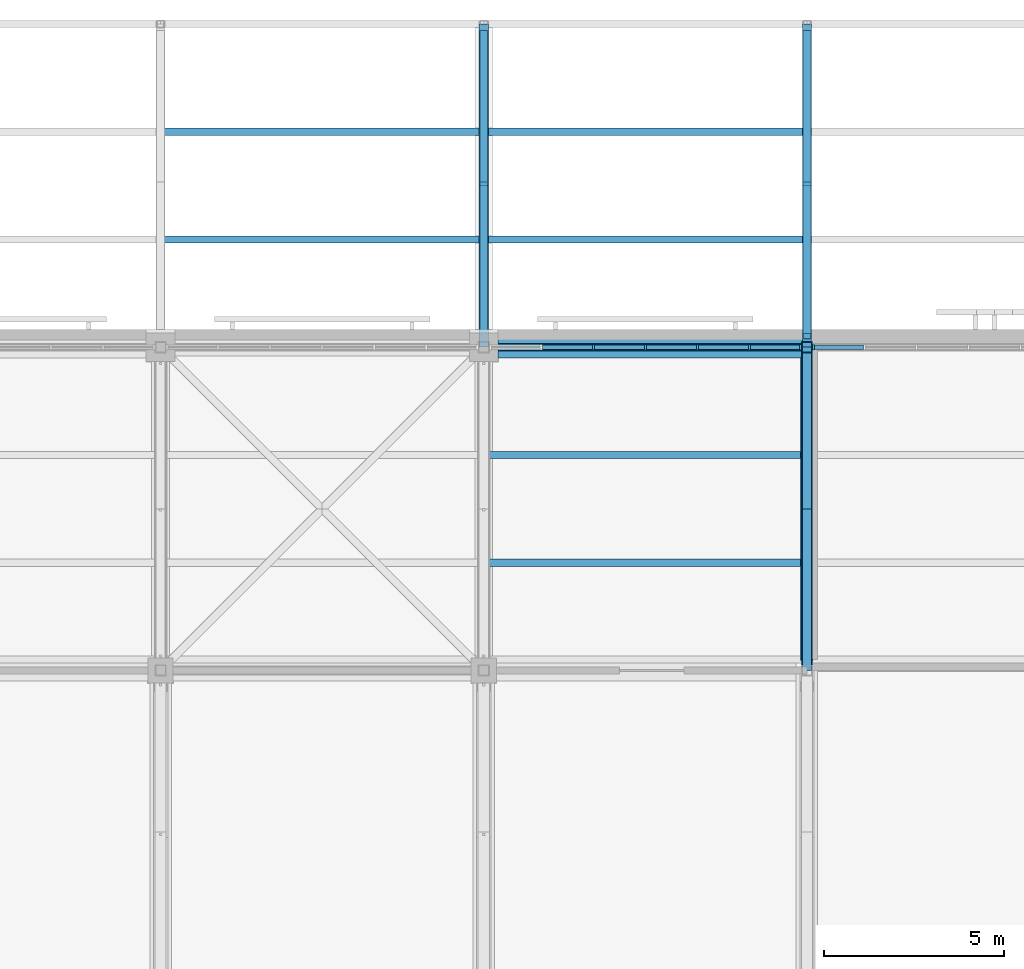
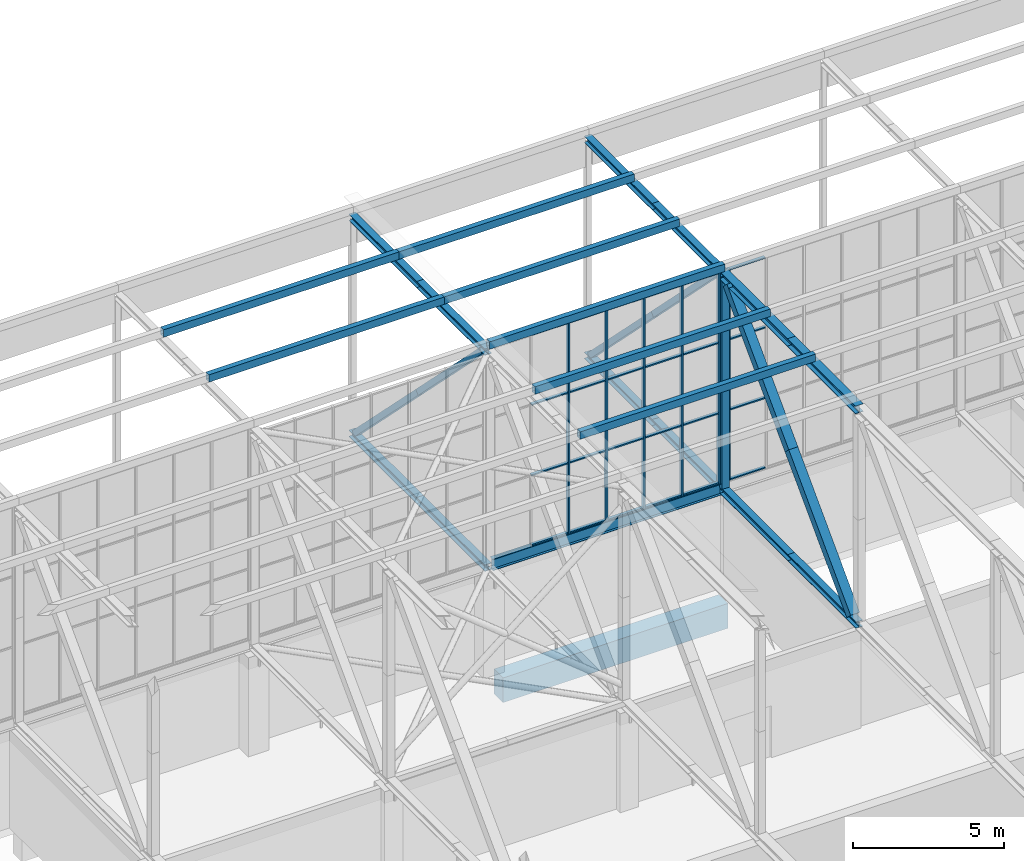
# One storey, part 124 of 646: 57 members, 2 beams, 2 elements without a shape of their own.
"""IFC4 building model written with IfcOpenShell, lengths in metres."""

from ifc_helpers import new_model, si_unit, direction, frame, origin, origin_2d, place, context, subcontext, project, spatial, rectangle, hollow_rectangle, i_section, extrude, material, material_profile, profile_set, type_object, element, aggregate, save


model = new_model("IFC4")

# Units and contexts
model_context = context("Model", 3, precision=1e-05, world=origin(), true_north=direction((0.0, 1.0)))
body_context = subcontext(model_context, "Body", "Model", "MODEL_VIEW")
ifc_project = project(units=[si_unit("LENGTHUNIT", "METRE"), si_unit("AREAUNIT", "SQUARE_METRE"), si_unit("VOLUMEUNIT", "CUBIC_METRE"), si_unit("PLANEANGLEUNIT", "RADIAN"), si_unit("MASSUNIT", "GRAM", prefix="KILO")], contexts=[model_context])

# Site, building, storey
site_placement = place(None, origin())
site = spatial("IfcSite", under=ifc_project, at=site_placement, CompositionType="ELEMENT")
building_placement = place(site_placement, origin())
building = spatial("IfcBuilding", under=site, at=building_placement, Name="Silverbay Arena", CompositionType="ELEMENT")
storey_placement = place(building_placement, frame((0.0, 0.0, 33.5)))
storey = spatial("IfcBuildingStorey", under=building, at=storey_placement, Name="L05", CompositionType="ELEMENT", Elevation=33.5)

# Members
ifc_material_1 = material(Name="Steel S355", Category="steel")
ifc_material_profile_1 = material_profile(ifc_material_1, i_section(OverallWidth=0.2587890625, OverallDepth=0.2666015625, WebThickness=0.0126953125, FlangeThickness=0.0205078125, at=origin_2d()), Name="UC 254x254x107")
ifc_profile_set_1 = profile_set([ifc_material_profile_1], Name="Steel S355")
member_type_1 = type_object("IfcMemberType", Name="Main-span bottom chord UC 254x254x107", PredefinedType="CHORD", material=ifc_profile_set_1)
for number, where, z_axis, x_axis, name in (
    (1, (135.0, 144.0, 4.13330078125), (0.0, 1.0, 0.0), (-1.0, 0.0, 0.0), "ROOF TRUSS 16 bottom chord 16a"),
    (2, (135.0, 148.5, 4.13330078125), (0.0, 1.0, 0.0), (-1.0, 0.0, 0.0), "ROOF TRUSS 16 bottom chord 16b"),
    (3, (144.0, 135.0, 4.13330078125), (0.0, 1.0, 0.0), (-1.0, 0.0, 0.0), "ROOF TRUSS 17 bottom chord 15a"),
    (4, (144.0, 139.5, 4.13330078125), (0.0, 1.0, 0.0), (-1.0, 0.0, 0.0), "ROOF TRUSS 17 bottom chord 15b"),
    (5, (144.0, 144.0, 4.13330078125), (0.0, 1.0, 0.0), (-1.0, 0.0, 0.0), "ROOF TRUSS 17 bottom chord 16a"),
    (6, (144.0, 148.5, 4.13330078125), (0.0, 1.0, 0.0), (-1.0, 0.0, 0.0), "ROOF TRUSS 17 bottom chord 16b"),
):
    element("IfcMember", number, at=place(storey_placement, frame(where, z_axis=z_axis, x_axis=x_axis)), inside=storey, type_object=member_type_1, Name=name, PredefinedType="CHORD", context=body_context, shape_type="SweptSolid", body=[
        extrude(i_section(OverallWidth=0.2587890625, OverallDepth=0.2666015625, WebThickness=0.0126953125, FlangeThickness=0.0205078125, at=origin_2d()), origin(), (0.0, 0.0, 1.0), 4.5),
    ])
ifc_material_2 = material(Name="Steel S355", Category="steel")
ifc_material_profile_2 = material_profile(ifc_material_2, i_section(OverallWidth=0.2587890625, OverallDepth=0.2666015625, WebThickness=0.0126953125, FlangeThickness=0.0205078125, at=origin_2d()), Name="UC 254x254x107")
ifc_profile_set_2 = profile_set([ifc_material_profile_2], Name="Steel S355")
member_type_2 = type_object("IfcMemberType", Name="Main-span top chord UC 254x254x107", PredefinedType="CHORD", material=ifc_profile_set_2)
for number, where, z_axis, x_axis, name in (
    (7, (135.0, 144.0, 12.86669921875), (0.0, 1.0, 0.0), (-1.0, 0.0, 0.0), "ROOF TRUSS 16 top chord 16a"),
    (8, (135.0, 148.5, 12.86669921875), (0.0, 1.0, 0.0), (-1.0, 0.0, 0.0), "ROOF TRUSS 16 top chord 16b"),
    (9, (144.0, 144.0, 12.86669921875), (0.0, 1.0, 0.0), (-1.0, 0.0, 0.0), "ROOF TRUSS 17 top chord 16a"),
    (10, (144.0, 148.5, 12.86669921875), (0.0, 1.0, 0.0), (-1.0, 0.0, 0.0), "ROOF TRUSS 17 top chord 16b"),
):
    element("IfcMember", number, at=place(storey_placement, frame(where, z_axis=z_axis, x_axis=x_axis)), inside=storey, type_object=member_type_2, Name=name, PredefinedType="CHORD", context=body_context, shape_type="SweptSolid", body=[
        extrude(i_section(OverallWidth=0.2587890625, OverallDepth=0.2666015625, WebThickness=0.0126953125, FlangeThickness=0.0205078125, at=origin_2d()), origin(), (0.0, 0.0, 1.0), 4.5),
    ])
ifc_material_3 = material(Name="Steel S355", Category="steel")
ifc_material_profile_3 = material_profile(ifc_material_3, i_section(OverallWidth=0.307373046875, OverallDepth=0.314453125, WebThickness=0.011962890625, FlangeThickness=0.018798828125, at=origin_2d()), Name="UC 305x305x118")
ifc_profile_set_3 = profile_set([ifc_material_profile_3], Name="Steel S355")
member_type_3 = type_object("IfcMemberType", Name="Main-span top chord UC 305x305x118", PredefinedType="CHORD", material=ifc_profile_set_3)
for number, where, z_axis, x_axis, name in (
    (11, (144.0, 135.0, 12.8427734375), (0.0, 1.0, 0.0), (-1.0, 0.0, 0.0), "ROOF TRUSS 17 top chord 15a"),
    (12, (144.0, 139.5, 12.8427734375), (0.0, 1.0, 0.0), (-1.0, 0.0, 0.0), "ROOF TRUSS 17 top chord 15b"),
):
    element("IfcMember", number, at=place(storey_placement, frame(where, z_axis=z_axis, x_axis=x_axis)), inside=storey, type_object=member_type_3, Name=name, PredefinedType="CHORD", context=body_context, shape_type="SweptSolid", body=[
        extrude(i_section(OverallWidth=0.307373046875, OverallDepth=0.314453125, WebThickness=0.011962890625, FlangeThickness=0.018798828125, at=origin_2d()), origin(), (0.0, 0.0, 1.0), 4.5),
    ])
ifc_material_4 = material(Name="Steel S355", Category="steel")
ifc_material_profile_4 = material_profile(ifc_material_4, hollow_rectangle(XDim=0.219970703125, YDim=0.219970703125, WallThickness=0.008056640625, at=origin_2d()), Name="SHS 220x220x8")
ifc_profile_set_4 = profile_set([ifc_material_profile_4], Name="Steel S355")
member_type_4 = type_object("IfcMemberType", Name="Main-span truss diagonal SHS 220x220x8", PredefinedType="BRACE", material=ifc_profile_set_4)
member_1_placement = place(storey_placement, frame((135.0, 144.310546875, 12.7333984375), z_axis=(0.0, 0.70551102507, -0.708698944196), x_axis=(-1.0, 0.0, 0.0)))
element("IfcMember", 13, at=member_1_placement, inside=storey, type_object=member_type_4, Name="ROOF TRUSS 16 diagonal 16a", PredefinedType="BRACE", context=body_context, shape_type="SweptSolid", body=[
    extrude(hollow_rectangle(XDim=0.219970703125, YDim=0.219970703125, WallThickness=0.008056640625, at=origin_2d()), origin(), (0.0, 0.0, 1.0), 5.973388671875),
])
member_2_placement = place(storey_placement, frame((135.0, 148.52490234375, 8.5), z_axis=(0.0, 0.705531551692, -0.708678509317), x_axis=(-1.0, 0.0, 0.0)))
element("IfcMember", 14, at=member_2_placement, inside=storey, type_object=member_type_4, Name="ROOF TRUSS 16 diagonal 16b", PredefinedType="BRACE", context=body_context, shape_type="SweptSolid", body=[
    extrude(hollow_rectangle(XDim=0.219970703125, YDim=0.219970703125, WallThickness=0.008056640625, at=origin_2d()), origin(), (0.0, 0.0, 1.0), 5.9736328125),
])
member_3_placement = place(storey_placement, frame((144.0, 144.310546875, 12.7333984375), z_axis=(0.0, 0.70551102507, -0.708698944196), x_axis=(-1.0, 0.0, 0.0)))
element("IfcMember", 15, at=member_3_placement, inside=storey, type_object=member_type_4, Name="ROOF TRUSS 17 diagonal 16a", PredefinedType="BRACE", context=body_context, shape_type="SweptSolid", body=[
    extrude(hollow_rectangle(XDim=0.219970703125, YDim=0.219970703125, WallThickness=0.008056640625, at=origin_2d()), origin(), (0.0, 0.0, 1.0), 5.973388671875),
])
member_4_placement = place(storey_placement, frame((144.0, 148.52490234375, 8.5), z_axis=(0.0, 0.705531551692, -0.708678509317), x_axis=(-1.0, 0.0, 0.0)))
element("IfcMember", 16, at=member_4_placement, inside=storey, type_object=member_type_4, Name="ROOF TRUSS 17 diagonal 16b", PredefinedType="BRACE", context=body_context, shape_type="SweptSolid", body=[
    extrude(hollow_rectangle(XDim=0.219970703125, YDim=0.219970703125, WallThickness=0.008056640625, at=origin_2d()), origin(), (0.0, 0.0, 1.0), 5.9736328125),
])
ifc_material_5 = material(Name="Steel S355", Category="steel")
ifc_material_profile_5 = material_profile(ifc_material_5, hollow_rectangle(XDim=0.35009765625, YDim=0.35009765625, WallThickness=0.01611328125, at=origin_2d()), Name="SHS 350x350x16")
ifc_profile_set_5 = profile_set([ifc_material_profile_5], Name="Steel S355")
member_type_5 = type_object("IfcMemberType", Name="Main-span truss diagonal SHS 350x350x16", PredefinedType="BRACE", material=ifc_profile_set_5)
for number, where, z_axis, x_axis, name in (
    (17, (144.0, 143.59375, 12.685546875), (0.0, -0.697184071327, -0.716892161129), (1.0, 0.0, 0.0), "ROOF TRUSS 17 diagonal 15a"),
    (18, (144.0, 139.5, 8.47607421875), (0.0, -0.697184071327, -0.716892161129), (1.0, 0.0, 0.0), "ROOF TRUSS 17 diagonal 15b"),
):
    element("IfcMember", number, at=place(storey_placement, frame(where, z_axis=z_axis, x_axis=x_axis)), inside=storey, type_object=member_type_5, Name=name, PredefinedType="BRACE", context=body_context, shape_type="SweptSolid", body=[
        extrude(hollow_rectangle(XDim=0.35009765625, YDim=0.35009765625, WallThickness=0.01611328125, at=origin_2d()), origin(), (0.0, 0.0, 1.0), 5.871826171875),
    ])
ifc_material_6 = material(Name="Steel S355", Category="steel")
ifc_material_profile_6 = material_profile(ifc_material_6, hollow_rectangle(XDim=0.300048828125, YDim=0.300048828125, WallThickness=0.012451171875, at=origin_2d()), Name="SHS 300x300x12.5")
ifc_profile_set_6 = profile_set([ifc_material_profile_6], Name="Steel S355")
member_type_6 = type_object("IfcMemberType", Name="Main-span truss vertical SHS 300x300x12.5", PredefinedType="STRUT", material=ifc_profile_set_6)
for number, where, z_axis, x_axis, name in (
    (19, (144.0, 144.0, 4.2666015625), (0.0, 0.0, 1.0), (1.0, 0.0, 0.0), "ROOF TRUSS 17 vertical 16a"),
    (20, (144.0, 144.0, 8.47607421875), (0.0, 0.0, 1.0), (1.0, 0.0, 0.0), "ROOF TRUSS 17 vertical 16b"),
):
    element("IfcMember", number, at=place(storey_placement, frame(where, z_axis=z_axis, x_axis=x_axis)), inside=storey, type_object=member_type_6, Name=name, PredefinedType="STRUT", context=body_context, shape_type="SweptSolid", body=[
        extrude(hollow_rectangle(XDim=0.300048828125, YDim=0.300048828125, WallThickness=0.012451171875, at=origin_2d()), origin(), (0.0, 0.0, 1.0), 4.20947265625),
    ])

# Curtain wall, members
ifc_material_7 = material(Name="Aluminium framed glazing", Category="aluminium")
curtain_wall_type = type_object("IfcCurtainWallType", Name="Curtain wall clerestory 8693 x 8540", PredefinedType="NOTDEFINED", material=ifc_material_7)
curtain_wall_1_placement = place(storey_placement, origin())
curtain_wall_1 = element("IfcCurtainWall", 21, at=curtain_wall_1_placement, inside=storey, type_object=curtain_wall_type, Name="ROOF CLERESTORY CURTAIN WALL north bay 10", PredefinedType="NOTDEFINED")
ifc_material_8 = material(Name="Aluminium", Category="aluminium")
ifc_material_profile_7 = material_profile(ifc_material_8, rectangle(XDim=0.159912109375, YDim=0.06005859375, at=origin_2d()), Name="Mullion 60 x 160")
ifc_profile_set_7 = profile_set([ifc_material_profile_7], Name="Aluminium")
member_type_7 = type_object("IfcMemberType", Name="Mullion 60 x 160", PredefinedType="MULLION", material=ifc_profile_set_7)
member_5_placement = place(storey_placement, frame((138.05126953125, 144.0, 4.4599609375), z_axis=(0.0, 0.0, 1.0), x_axis=(0.0, 1.0, 0.0)))
member_5 = element("IfcMember", 22, at=member_5_placement, type_object=member_type_7, Name="CW55 mullion 3", PredefinedType="MULLION", context=body_context, shape_type="SweptSolid", body=[
    extrude(rectangle(XDim=0.159912109375, YDim=0.06005859375, at=origin_2d()), origin(), (0.0, 0.0, 1.0), 8.5400390625),
])
member_6_placement = place(storey_placement, frame((139.5, 144.0, 4.4599609375), z_axis=(0.0, 0.0, 1.0), x_axis=(0.0, 1.0, 0.0)))
member_6 = element("IfcMember", 23, at=member_6_placement, type_object=member_type_7, Name="CW55 mullion 4", PredefinedType="MULLION", context=body_context, shape_type="SweptSolid", body=[
    extrude(rectangle(XDim=0.159912109375, YDim=0.06005859375, at=origin_2d()), origin(), (0.0, 0.0, 1.0), 8.5400390625),
])
member_7_placement = place(storey_placement, frame((140.94873046875, 144.0, 4.4599609375), z_axis=(0.0, 0.0, 1.0), x_axis=(0.0, 1.0, 0.0)))
member_7 = element("IfcMember", 24, at=member_7_placement, type_object=member_type_7, Name="CW55 mullion 5", PredefinedType="MULLION", context=body_context, shape_type="SweptSolid", body=[
    extrude(rectangle(XDim=0.159912109375, YDim=0.06005859375, at=origin_2d()), origin(), (0.0, 0.0, 1.0), 8.5400390625),
])
member_8_placement = place(storey_placement, frame((142.3974609375, 144.0, 4.4599609375), z_axis=(0.0, 0.0, 1.0), x_axis=(0.0, 1.0, 0.0)))
member_8 = element("IfcMember", 25, at=member_8_placement, type_object=member_type_7, Name="CW55 mullion 6", PredefinedType="MULLION", context=body_context, shape_type="SweptSolid", body=[
    extrude(rectangle(XDim=0.159912109375, YDim=0.06005859375, at=origin_2d()), origin(), (0.0, 0.0, 1.0), 8.5400390625),
])
member_9_placement = place(storey_placement, frame((143.81640625, 144.0, 4.4599609375), z_axis=(0.0, 0.0, 1.0), x_axis=(0.0, 1.0, 0.0)))
member_9 = element("IfcMember", 26, at=member_9_placement, type_object=member_type_7, Name="CW55 mullion 7", PredefinedType="MULLION", context=body_context, shape_type="SweptSolid", body=[
    extrude(rectangle(XDim=0.159912109375, YDim=0.06005859375, at=origin_2d()), origin(), (0.0, 0.0, 1.0), 8.5400390625),
])

# Curtain wall, member
curtain_wall_2_placement = place(storey_placement, origin())
curtain_wall_2 = element("IfcCurtainWall", 27, at=curtain_wall_2_placement, inside=storey, type_object=curtain_wall_type, Name="ROOF CLERESTORY CURTAIN WALL north bay 11", PredefinedType="NOTDEFINED")
member_10_placement = place(storey_placement, frame((144.18359375, 144.0, 4.4599609375), z_axis=(0.0, 0.0, 1.0), x_axis=(0.0, 1.0, 0.0)))
member_10 = element("IfcMember", 28, at=member_10_placement, type_object=member_type_7, Name="CW55 mullion 1", PredefinedType="MULLION", context=body_context, shape_type="SweptSolid", body=[
    extrude(rectangle(XDim=0.159912109375, YDim=0.06005859375, at=origin_2d()), origin(), (0.0, 0.0, 1.0), 8.5400390625),
])

# Members
ifc_material_9 = material(Name="Steel S355", Category="steel")
ifc_material_profile_8 = material_profile(ifc_material_9, hollow_rectangle(XDim=0.199951171875, YDim=0.300048828125, WallThickness=0.00634765625, at=origin_2d()), Name="RHS 300x200x6.3")
ifc_profile_set_8 = profile_set([ifc_material_profile_8], Name="Steel S355")
member_type_8 = type_object("IfcMemberType", Name="Purlin RHS 300x200x6.3", PredefinedType="PURLIN", material=ifc_profile_set_8)
member_11_placement = place(storey_placement, frame((135.0, 138.0, 13.14990234375), z_axis=(1.0, 0.0, 0.0), x_axis=(0.0, 1.0, 0.0)))
element("IfcMember", 29, at=member_11_placement, inside=storey, type_object=member_type_8, Name="ROOF PURLIN 16-17 line 44", PredefinedType="PURLIN", context=body_context, shape_type="SweptSolid", body=[
    extrude(hollow_rectangle(XDim=0.199951171875, YDim=0.300048828125, WallThickness=0.00634765625, at=origin_2d()), origin(), (0.0, 0.0, 1.0), 9.0),
])
ifc_material_10 = material(Name="Steel S355", Category="steel")
ifc_material_profile_9 = material_profile(ifc_material_10, hollow_rectangle(XDim=0.199951171875, YDim=0.300048828125, WallThickness=0.008056640625, at=origin_2d()), Name="RHS 300x200x8")
ifc_profile_set_9 = profile_set([ifc_material_profile_9], Name="Steel S355")
member_type_9 = type_object("IfcMemberType", Name="Purlin RHS 300x200x8", PredefinedType="PURLIN", material=ifc_profile_set_9)
for number, where, z_axis, x_axis, name in (
    (30, (126.0, 147.0, 13.14990234375), (1.0, 0.0, 0.0), (0.0, 1.0, 0.0), "ROOF PURLIN 15-16 line 47"),
    (31, (126.0, 150.0, 13.14990234375), (1.0, 0.0, 0.0), (0.0, 1.0, 0.0), "ROOF PURLIN 15-16 line 48"),
    (32, (135.0, 141.0, 13.14990234375), (1.0, 0.0, 0.0), (0.0, 1.0, 0.0), "ROOF PURLIN 16-17 line 45"),
    (33, (135.0, 144.0, 13.14990234375), (1.0, 0.0, 0.0), (0.0, 1.0, 0.0), "ROOF PURLIN 16-17 line 46"),
    (34, (135.0, 147.0, 13.14990234375), (1.0, 0.0, 0.0), (0.0, 1.0, 0.0), "ROOF PURLIN 16-17 line 47"),
    (35, (135.0, 150.0, 13.14990234375), (1.0, 0.0, 0.0), (0.0, 1.0, 0.0), "ROOF PURLIN 16-17 line 48"),
):
    element("IfcMember", number, at=place(storey_placement, frame(where, z_axis=z_axis, x_axis=x_axis)), inside=storey, type_object=member_type_9, Name=name, PredefinedType="PURLIN", context=body_context, shape_type="SweptSolid", body=[
        extrude(hollow_rectangle(XDim=0.199951171875, YDim=0.300048828125, WallThickness=0.008056640625, at=origin_2d()), origin(), (0.0, 0.0, 1.0), 9.0),
    ])

# Beams
ifc_material_11 = material(Name="Concrete Grade C45", Category="concrete")
ifc_material_profile_10 = material_profile(ifc_material_11, rectangle(XDim=0.60009765625, YDim=1.0, at=origin_2d()), Name="RC 600x1000")
ifc_profile_set_10 = profile_set([ifc_material_profile_10], Name="Concrete Grade C45")
beam_type_1 = type_object("IfcBeamType", Name="RC beam 600x1000", PredefinedType="BEAM", material=ifc_profile_set_10)
beam_1_placement = place(storey_placement, frame((135.39990234375, 144.0, -0.800048828125), z_axis=(1.0, 0.0, 0.0), x_axis=(0.0, 1.0, 0.0)))
element("IfcBeam", 36, at=beam_1_placement, inside=storey, type_object=beam_type_1, Name="Floor beam L05 069", PredefinedType="BEAM", context=body_context, shape_type="SweptSolid", body=[
    extrude(rectangle(XDim=0.60009765625, YDim=1.0, at=origin_2d()), origin(), (0.0, 0.0, 1.0), 8.60009765625),
])
ifc_material_12 = material(Name="Steel S355", Category="steel")
ifc_material_profile_11 = material_profile(ifc_material_12, i_section(OverallWidth=0.19140625, OverallDepth=0.4599609375, WebThickness=0.010009765625, FlangeThickness=0.01611328125, at=origin_2d()), Name="UB 457x191x82")
ifc_profile_set_11 = profile_set([ifc_material_profile_11], Name="Steel S355")
beam_type_2 = type_object("IfcBeamType", Name="Ring beam UB 457x191x82", PredefinedType="BEAM", material=ifc_profile_set_11)
beam_2_placement = place(storey_placement, frame((135.12939453125, 144.0, 4.22998046875), z_axis=(1.0, 0.0, 0.0), x_axis=(0.0, 1.0, 0.0)))
element("IfcBeam", 37, at=beam_2_placement, inside=storey, type_object=beam_type_2, Name="RING BEAM north facade 16-17", PredefinedType="BEAM", context=body_context, shape_type="SweptSolid", body=[
    extrude(i_section(OverallWidth=0.19140625, OverallDepth=0.4599609375, WebThickness=0.010009765625, FlangeThickness=0.01611328125, at=origin_2d()), origin(), (0.0, 0.0, 1.0), 8.7412109375),
])

# Member
ifc_material_13 = material(Name="Aluminium", Category="aluminium")
ifc_material_profile_12 = material_profile(ifc_material_13, rectangle(XDim=0.1201171875, YDim=0.050048828125, at=origin_2d()), Name="Transom 50 x 120")
ifc_profile_set_12 = profile_set([ifc_material_profile_12], Name="Aluminium")
member_type_10 = type_object("IfcMemberType", Name="Transom 50 x 120", PredefinedType="USERDEFINED", material=ifc_profile_set_12)
member_12_placement = place(storey_placement, frame((136.632568359375, 144.0, 4.485107421875), z_axis=(1.0, 0.0, 0.0), x_axis=(0.0, 1.0, 0.0)))
member_12 = element("IfcMember", 38, at=member_12_placement, type_object=member_type_10, Name="CW55 transom 2.1", ObjectType="TRANSOM", PredefinedType="USERDEFINED", context=body_context, shape_type="SweptSolid", body=[
    extrude(rectangle(XDim=0.1201171875, YDim=0.050048828125, at=origin_2d()), origin(), (0.0, 0.0, 1.0), 1.388671875),
])

member_13_placement = place(storey_placement, frame((136.632568359375, 144.0, 7.306640625), z_axis=(1.0, 0.0, 0.0), x_axis=(0.0, 1.0, 0.0)))
member_13 = element("IfcMember", 39, at=member_13_placement, type_object=member_type_10, Name="CW55 transom 2.2", ObjectType="TRANSOM", PredefinedType="USERDEFINED", context=body_context, shape_type="SweptSolid", body=[
    extrude(rectangle(XDim=0.1201171875, YDim=0.050048828125, at=origin_2d()), origin(), (0.0, 0.0, 1.0), 1.388671875),
])

member_14_placement = place(storey_placement, frame((136.632568359375, 144.0, 10.1533203125), z_axis=(1.0, 0.0, 0.0), x_axis=(0.0, 1.0, 0.0)))
member_14 = element("IfcMember", 40, at=member_14_placement, type_object=member_type_10, Name="CW55 transom 2.3", ObjectType="TRANSOM", PredefinedType="USERDEFINED", context=body_context, shape_type="SweptSolid", body=[
    extrude(rectangle(XDim=0.1201171875, YDim=0.050048828125, at=origin_2d()), origin(), (0.0, 0.0, 1.0), 1.388671875),
])

member_15_placement = place(storey_placement, frame((136.632568359375, 144.0, 12.97509765625), z_axis=(1.0, 0.0, 0.0), x_axis=(0.0, 1.0, 0.0)))
member_15 = element("IfcMember", 41, at=member_15_placement, type_object=member_type_10, Name="CW55 transom 2.4", ObjectType="TRANSOM", PredefinedType="USERDEFINED", context=body_context, shape_type="SweptSolid", body=[
    extrude(rectangle(XDim=0.1201171875, YDim=0.050048828125, at=origin_2d()), origin(), (0.0, 0.0, 1.0), 1.388671875),
])

member_16_placement = place(storey_placement, frame((138.081298828125, 144.0, 4.485107421875), z_axis=(1.0, 0.0, 0.0), x_axis=(0.0, 1.0, 0.0)))
member_16 = element("IfcMember", 42, at=member_16_placement, type_object=member_type_10, Name="CW55 transom 3.1", ObjectType="TRANSOM", PredefinedType="USERDEFINED", context=body_context, shape_type="SweptSolid", body=[
    extrude(rectangle(XDim=0.1201171875, YDim=0.050048828125, at=origin_2d()), origin(), (0.0, 0.0, 1.0), 1.388671875),
])

member_17_placement = place(storey_placement, frame((138.081298828125, 144.0, 7.306640625), z_axis=(1.0, 0.0, 0.0), x_axis=(0.0, 1.0, 0.0)))
member_17 = element("IfcMember", 43, at=member_17_placement, type_object=member_type_10, Name="CW55 transom 3.2", ObjectType="TRANSOM", PredefinedType="USERDEFINED", context=body_context, shape_type="SweptSolid", body=[
    extrude(rectangle(XDim=0.1201171875, YDim=0.050048828125, at=origin_2d()), origin(), (0.0, 0.0, 1.0), 1.388671875),
])

member_18_placement = place(storey_placement, frame((138.081298828125, 144.0, 10.1533203125), z_axis=(1.0, 0.0, 0.0), x_axis=(0.0, 1.0, 0.0)))
member_18 = element("IfcMember", 44, at=member_18_placement, type_object=member_type_10, Name="CW55 transom 3.3", ObjectType="TRANSOM", PredefinedType="USERDEFINED", context=body_context, shape_type="SweptSolid", body=[
    extrude(rectangle(XDim=0.1201171875, YDim=0.050048828125, at=origin_2d()), origin(), (0.0, 0.0, 1.0), 1.388671875),
])

member_19_placement = place(storey_placement, frame((138.081298828125, 144.0, 12.97509765625), z_axis=(1.0, 0.0, 0.0), x_axis=(0.0, 1.0, 0.0)))
member_19 = element("IfcMember", 45, at=member_19_placement, type_object=member_type_10, Name="CW55 transom 3.4", ObjectType="TRANSOM", PredefinedType="USERDEFINED", context=body_context, shape_type="SweptSolid", body=[
    extrude(rectangle(XDim=0.1201171875, YDim=0.050048828125, at=origin_2d()), origin(), (0.0, 0.0, 1.0), 1.388671875),
])

member_20_placement = place(storey_placement, frame((139.530029296875, 144.0, 4.485107421875), z_axis=(1.0, 0.0, 0.0), x_axis=(0.0, 1.0, 0.0)))
member_20 = element("IfcMember", 46, at=member_20_placement, type_object=member_type_10, Name="CW55 transom 4.1", ObjectType="TRANSOM", PredefinedType="USERDEFINED", context=body_context, shape_type="SweptSolid", body=[
    extrude(rectangle(XDim=0.1201171875, YDim=0.050048828125, at=origin_2d()), origin(), (0.0, 0.0, 1.0), 1.388671875),
])

member_21_placement = place(storey_placement, frame((139.530029296875, 144.0, 7.306640625), z_axis=(1.0, 0.0, 0.0), x_axis=(0.0, 1.0, 0.0)))
member_21 = element("IfcMember", 47, at=member_21_placement, type_object=member_type_10, Name="CW55 transom 4.2", ObjectType="TRANSOM", PredefinedType="USERDEFINED", context=body_context, shape_type="SweptSolid", body=[
    extrude(rectangle(XDim=0.1201171875, YDim=0.050048828125, at=origin_2d()), origin(), (0.0, 0.0, 1.0), 1.388671875),
])

member_22_placement = place(storey_placement, frame((139.530029296875, 144.0, 10.1533203125), z_axis=(1.0, 0.0, 0.0), x_axis=(0.0, 1.0, 0.0)))
member_22 = element("IfcMember", 48, at=member_22_placement, type_object=member_type_10, Name="CW55 transom 4.3", ObjectType="TRANSOM", PredefinedType="USERDEFINED", context=body_context, shape_type="SweptSolid", body=[
    extrude(rectangle(XDim=0.1201171875, YDim=0.050048828125, at=origin_2d()), origin(), (0.0, 0.0, 1.0), 1.388671875),
])

member_23_placement = place(storey_placement, frame((139.530029296875, 144.0, 12.97509765625), z_axis=(1.0, 0.0, 0.0), x_axis=(0.0, 1.0, 0.0)))
member_23 = element("IfcMember", 49, at=member_23_placement, type_object=member_type_10, Name="CW55 transom 4.4", ObjectType="TRANSOM", PredefinedType="USERDEFINED", context=body_context, shape_type="SweptSolid", body=[
    extrude(rectangle(XDim=0.1201171875, YDim=0.050048828125, at=origin_2d()), origin(), (0.0, 0.0, 1.0), 1.388671875),
])

member_24_placement = place(storey_placement, frame((140.978759765625, 144.0, 4.485107421875), z_axis=(1.0, 0.0, 0.0), x_axis=(0.0, 1.0, 0.0)))
member_24 = element("IfcMember", 50, at=member_24_placement, type_object=member_type_10, Name="CW55 transom 5.1", ObjectType="TRANSOM", PredefinedType="USERDEFINED", context=body_context, shape_type="SweptSolid", body=[
    extrude(rectangle(XDim=0.1201171875, YDim=0.050048828125, at=origin_2d()), origin(), (0.0, 0.0, 1.0), 1.388671875),
])

member_25_placement = place(storey_placement, frame((140.978759765625, 144.0, 7.306640625), z_axis=(1.0, 0.0, 0.0), x_axis=(0.0, 1.0, 0.0)))
member_25 = element("IfcMember", 51, at=member_25_placement, type_object=member_type_10, Name="CW55 transom 5.2", ObjectType="TRANSOM", PredefinedType="USERDEFINED", context=body_context, shape_type="SweptSolid", body=[
    extrude(rectangle(XDim=0.1201171875, YDim=0.050048828125, at=origin_2d()), origin(), (0.0, 0.0, 1.0), 1.388671875),
])

member_26_placement = place(storey_placement, frame((140.978759765625, 144.0, 10.1533203125), z_axis=(1.0, 0.0, 0.0), x_axis=(0.0, 1.0, 0.0)))
member_26 = element("IfcMember", 52, at=member_26_placement, type_object=member_type_10, Name="CW55 transom 5.3", ObjectType="TRANSOM", PredefinedType="USERDEFINED", context=body_context, shape_type="SweptSolid", body=[
    extrude(rectangle(XDim=0.1201171875, YDim=0.050048828125, at=origin_2d()), origin(), (0.0, 0.0, 1.0), 1.388671875),
])

member_27_placement = place(storey_placement, frame((140.978759765625, 144.0, 12.97509765625), z_axis=(1.0, 0.0, 0.0), x_axis=(0.0, 1.0, 0.0)))
member_27 = element("IfcMember", 53, at=member_27_placement, type_object=member_type_10, Name="CW55 transom 5.4", ObjectType="TRANSOM", PredefinedType="USERDEFINED", context=body_context, shape_type="SweptSolid", body=[
    extrude(rectangle(XDim=0.1201171875, YDim=0.050048828125, at=origin_2d()), origin(), (0.0, 0.0, 1.0), 1.388671875),
])

member_28_placement = place(storey_placement, frame((142.427490234375, 144.0, 4.485107421875), z_axis=(1.0, 0.0, 0.0), x_axis=(0.0, 1.0, 0.0)))
member_28 = element("IfcMember", 54, at=member_28_placement, type_object=member_type_10, Name="CW55 transom 6.1", ObjectType="TRANSOM", PredefinedType="USERDEFINED", context=body_context, shape_type="SweptSolid", body=[
    extrude(rectangle(XDim=0.1201171875, YDim=0.050048828125, at=origin_2d()), origin(), (0.0, 0.0, 1.0), 1.35888671875),
])

member_29_placement = place(storey_placement, frame((142.427490234375, 144.0, 7.306640625), z_axis=(1.0, 0.0, 0.0), x_axis=(0.0, 1.0, 0.0)))
member_29 = element("IfcMember", 55, at=member_29_placement, type_object=member_type_10, Name="CW55 transom 6.2", ObjectType="TRANSOM", PredefinedType="USERDEFINED", context=body_context, shape_type="SweptSolid", body=[
    extrude(rectangle(XDim=0.1201171875, YDim=0.050048828125, at=origin_2d()), origin(), (0.0, 0.0, 1.0), 1.35888671875),
])

member_30_placement = place(storey_placement, frame((142.427490234375, 144.0, 10.1533203125), z_axis=(1.0, 0.0, 0.0), x_axis=(0.0, 1.0, 0.0)))
member_30 = element("IfcMember", 56, at=member_30_placement, type_object=member_type_10, Name="CW55 transom 6.3", ObjectType="TRANSOM", PredefinedType="USERDEFINED", context=body_context, shape_type="SweptSolid", body=[
    extrude(rectangle(XDim=0.1201171875, YDim=0.050048828125, at=origin_2d()), origin(), (0.0, 0.0, 1.0), 1.35888671875),
])

member_31_placement = place(storey_placement, frame((142.427490234375, 144.0, 12.97509765625), z_axis=(1.0, 0.0, 0.0), x_axis=(0.0, 1.0, 0.0)))
member_31 = element("IfcMember", 57, at=member_31_placement, type_object=member_type_10, Name="CW55 transom 6.4", ObjectType="TRANSOM", PredefinedType="USERDEFINED", context=body_context, shape_type="SweptSolid", body=[
    extrude(rectangle(XDim=0.1201171875, YDim=0.050048828125, at=origin_2d()), origin(), (0.0, 0.0, 1.0), 1.35888671875),
])

aggregate(curtain_wall_1, [member_5, member_6, member_7, member_8, member_9, member_12, member_13, member_14, member_15, member_16, member_17, member_18, member_19, member_20, member_21, member_22, member_23, member_24, member_25, member_26, member_27, member_28, member_29, member_30, member_31])

member_32_placement = place(storey_placement, frame((144.213623046875, 144.0, 4.485107421875), z_axis=(1.0, 0.0, 0.0), x_axis=(0.0, 1.0, 0.0)))
member_32 = element("IfcMember", 58, at=member_32_placement, type_object=member_type_10, Name="CW55 transom 1.1", ObjectType="TRANSOM", PredefinedType="USERDEFINED", context=body_context, shape_type="SweptSolid", body=[
    extrude(rectangle(XDim=0.1201171875, YDim=0.050048828125, at=origin_2d()), origin(), (0.0, 0.0, 1.0), 1.35888671875),
])

member_33_placement = place(storey_placement, frame((144.213623046875, 144.0, 7.306640625), z_axis=(1.0, 0.0, 0.0), x_axis=(0.0, 1.0, 0.0)))
member_33 = element("IfcMember", 59, at=member_33_placement, type_object=member_type_10, Name="CW55 transom 1.2", ObjectType="TRANSOM", PredefinedType="USERDEFINED", context=body_context, shape_type="SweptSolid", body=[
    extrude(rectangle(XDim=0.1201171875, YDim=0.050048828125, at=origin_2d()), origin(), (0.0, 0.0, 1.0), 1.35888671875),
])

member_34_placement = place(storey_placement, frame((144.213623046875, 144.0, 10.1533203125), z_axis=(1.0, 0.0, 0.0), x_axis=(0.0, 1.0, 0.0)))
member_34 = element("IfcMember", 60, at=member_34_placement, type_object=member_type_10, Name="CW55 transom 1.3", ObjectType="TRANSOM", PredefinedType="USERDEFINED", context=body_context, shape_type="SweptSolid", body=[
    extrude(rectangle(XDim=0.1201171875, YDim=0.050048828125, at=origin_2d()), origin(), (0.0, 0.0, 1.0), 1.35888671875),
])

member_35_placement = place(storey_placement, frame((144.213623046875, 144.0, 12.97509765625), z_axis=(1.0, 0.0, 0.0), x_axis=(0.0, 1.0, 0.0)))
member_35 = element("IfcMember", 61, at=member_35_placement, type_object=member_type_10, Name="CW55 transom 1.4", ObjectType="TRANSOM", PredefinedType="USERDEFINED", context=body_context, shape_type="SweptSolid", body=[
    extrude(rectangle(XDim=0.1201171875, YDim=0.050048828125, at=origin_2d()), origin(), (0.0, 0.0, 1.0), 1.35888671875),
])

aggregate(curtain_wall_2, [member_10, member_32, member_33, member_34, member_35])

save(model, "model.ifc")
